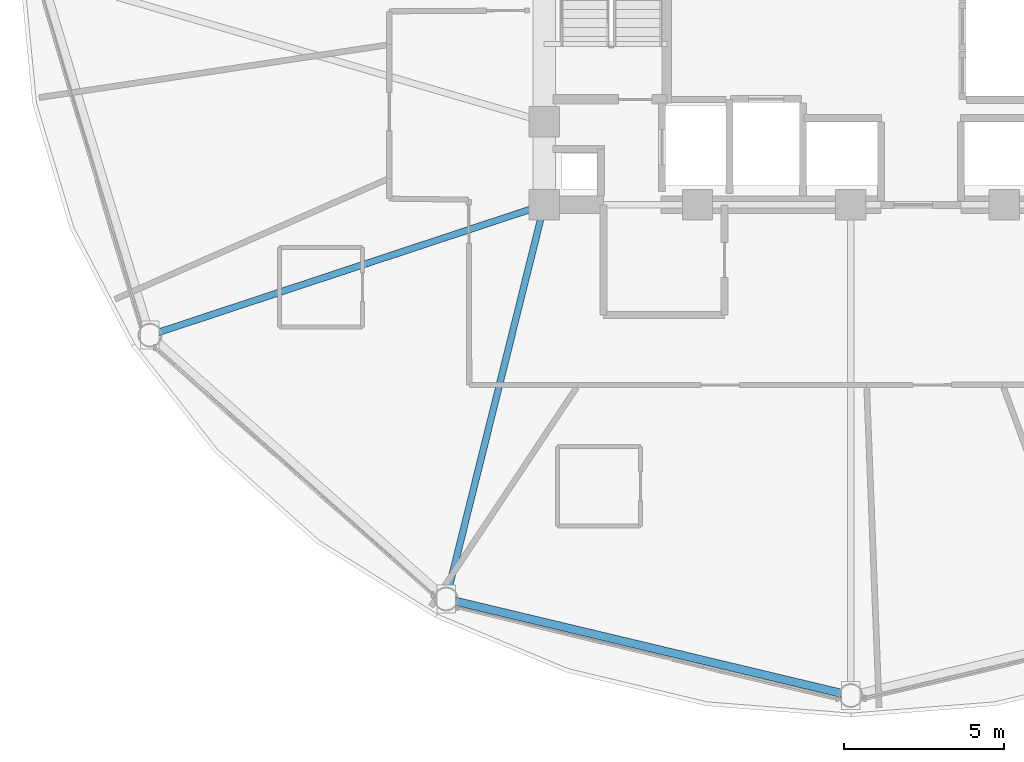
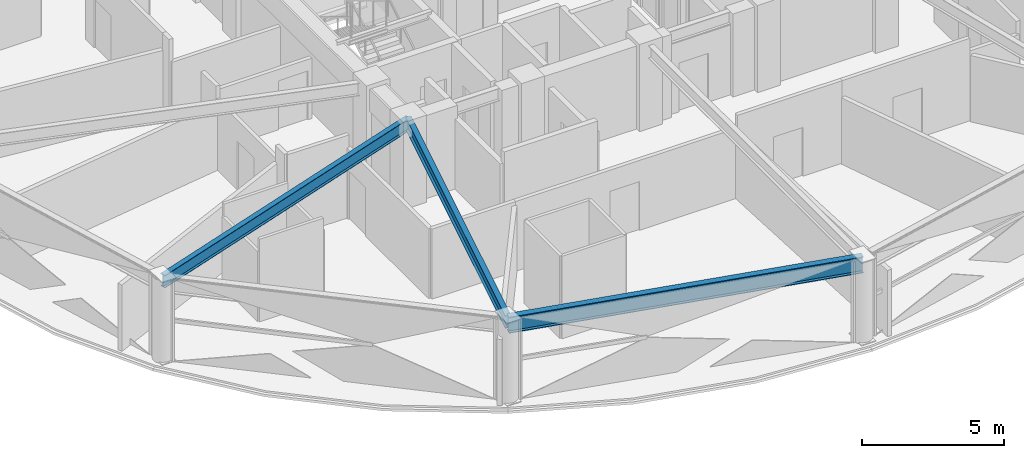
# One storey, part 4 of 31: 3 beams.
"""IFC4 building model written with IfcOpenShell, lengths in metres."""

from ifc_helpers import new_model, si_unit, direction, frame, origin, origin_2d, place, context, subcontext, project, spatial, i_section, extrude, material, material_profile, profile_set, type_object, element, save


model = new_model("IFC4")

# Units and contexts
model_context = context("Model", 3, precision=1e-05, world=origin(), true_north=direction((0.0, 1.0)))
body_context = subcontext(model_context, "Body", "Model", "MODEL_VIEW")
ifc_project = project(units=[si_unit("LENGTHUNIT", "METRE"), si_unit("AREAUNIT", "SQUARE_METRE"), si_unit("VOLUMEUNIT", "CUBIC_METRE"), si_unit("PLANEANGLEUNIT", "RADIAN"), si_unit("MASSUNIT", "GRAM", prefix="KILO")], contexts=[model_context])

# Site, building, storey
site_placement = place(None, origin())
site = spatial("IfcSite", under=ifc_project, at=site_placement, CompositionType="ELEMENT")
building_placement = place(site_placement, origin())
building = spatial("IfcBuilding", under=site, at=building_placement, Name="Vantalir Tower", CompositionType="ELEMENT")
storey_placement = place(building_placement, frame((0.0, 0.0, 123.449951171875)))
storey = spatial("IfcBuildingStorey", under=building, at=storey_placement, Name="L30", CompositionType="ELEMENT", Elevation=123.449951171875)

# Beams
ifc_material_1 = material(Name="Steel S355", Category="steel")
ifc_material_profile_1 = material_profile(ifc_material_1, i_section(OverallWidth=0.2109375, OverallDepth=0.5390625, WebThickness=0.01171875, FlangeThickness=0.018798828125, at=origin_2d()), Name="Steel S355")
ifc_profile_set_1 = profile_set([ifc_material_profile_1], Name="Steel S355")
beam_type_1 = type_object("IfcBeamType", Name="BM-RB-533x210", PredefinedType="BEAM", material=ifc_profile_set_1)
beam_1_placement = place(storey_placement, frame((9.554931640625, 13.717041015625, 3.300048828125), z_axis=(0.949418619953, 0.314013190944, 0.0), x_axis=(-0.314013190944, 0.949418619953, 0.0)))
element("IfcBeam", 1, at=beam_1_placement, inside=storey, type_object=beam_type_1, Name="L30 Radial Floor Beam 08", PredefinedType="BEAM", context=body_context, shape_type="SweptSolid", body=[
    extrude(i_section(OverallWidth=0.2109375, OverallDepth=0.5390625, WebThickness=0.01171875, FlangeThickness=0.018798828125, at=origin_2d()), origin(), (0.0, 0.0, 1.0), 13.002685546875),
])
beam_2_placement = place(storey_placement, frame((18.830078125, 5.45703125, 3.300048828125), z_axis=(0.241356653408, 0.970436482134, 0.0), x_axis=(-0.970436482134, 0.241356653408, 0.0)))
element("IfcBeam", 2, at=beam_2_placement, inside=storey, type_object=beam_type_1, Name="L30 Radial Floor Beam 09", PredefinedType="BEAM", context=body_context, shape_type="SweptSolid", body=[
    extrude(i_section(OverallWidth=0.2109375, OverallDepth=0.5390625, WebThickness=0.01171875, FlangeThickness=0.018798828125, at=origin_2d()), origin(), (0.0, 0.0, 1.0), 12.718994140625),
])
ifc_material_2 = material(Name="Steel S460", Category="steel")
ifc_material_profile_2 = material_profile(ifc_material_2, i_section(OverallWidth=0.256103515625, OverallDepth=0.693115234375, WebThickness=0.014404296875, FlangeThickness=0.023681640625, at=origin_2d()), Name="Steel S460")
ifc_profile_set_2 = profile_set([ifc_material_profile_2], Name="Steel S460")
beam_type_2 = type_object("IfcBeamType", Name="BM-RG-686x254", PredefinedType="USERDEFINED", material=ifc_profile_set_2)
beam_3_placement = place(storey_placement, frame((18.830078125, 5.45703125, 3.22314453125), z_axis=(0.972697106811, -0.232078302307, 0.0), x_axis=(0.232078302307, 0.972697106811, 0.0)))
element("IfcBeam", 3, at=beam_3_placement, inside=storey, type_object=beam_type_2, Name="L30 Circumferential Ring Girder 09", ObjectType="GIRDER", PredefinedType="USERDEFINED", context=body_context, shape_type="SweptSolid", body=[
    extrude(i_section(OverallWidth=0.256103515625, OverallDepth=0.693115234375, WebThickness=0.014404296875, FlangeThickness=0.023681640625, at=origin_2d()), origin(), (0.0, 0.0, 1.0), 13.025634765625),
])

save(model, "model.ifc")
